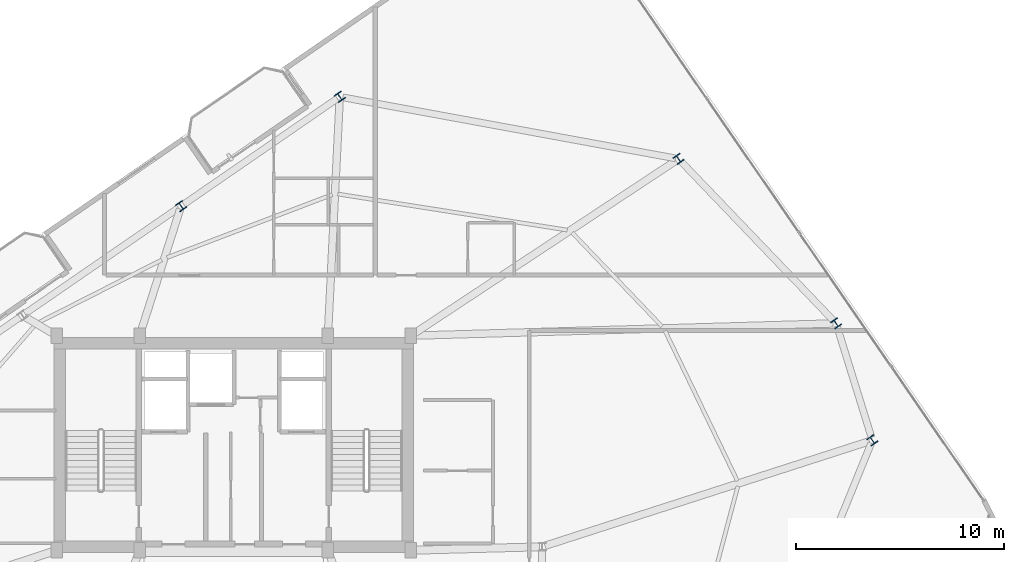
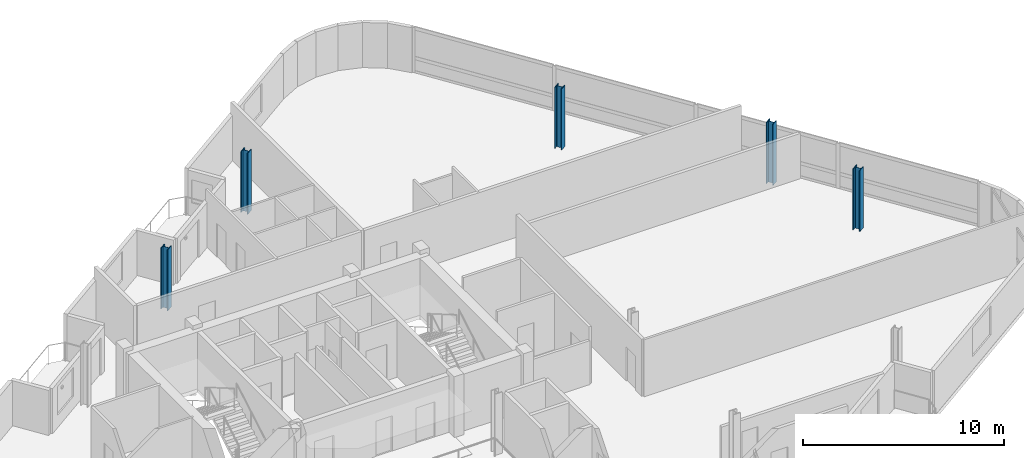
# One storey, part 2 of 23: 5 columns.
"""IFC4 building model written with IfcOpenShell, lengths in metres."""

from ifc_helpers import new_model, si_unit, direction, frame, origin, origin_2d, place, context, subcontext, project, spatial, i_section, extrude, material, material_profile, profile_set, type_object, element, save


model = new_model("IFC4")

# Units and contexts
model_context = context("Model", 3, precision=1e-05, world=origin(), true_north=direction((0.0, 1.0)))
body_context = subcontext(model_context, "Body", "Model", "MODEL_VIEW")
ifc_project = project(units=[si_unit("LENGTHUNIT", "METRE"), si_unit("AREAUNIT", "SQUARE_METRE"), si_unit("VOLUMEUNIT", "CUBIC_METRE"), si_unit("PLANEANGLEUNIT", "RADIAN"), si_unit("MASSUNIT", "GRAM", prefix="KILO")], contexts=[model_context])

# Site, building, storey
site_placement = place(None, origin())
site = spatial("IfcSite", under=ifc_project, at=site_placement, CompositionType="ELEMENT")
building_placement = place(site_placement, origin())
building = spatial("IfcBuilding", under=site, at=building_placement, Name="Varnelok Gate Tower", CompositionType="ELEMENT")
storey_placement = place(building_placement, frame((0.0, 0.0, 273.0)))
storey = spatial("IfcBuildingStorey", under=building, at=storey_placement, Name="L70", CompositionType="ELEMENT", Elevation=273.0)

# Columns
ifc_material = material(Name="Structural Steel ASTM A992 Grade 50", Category="steel")
ifc_material_profile = material_profile(ifc_material, i_section(OverallWidth=0.40087890625, OverallDepth=0.39892578125, WebThickness=0.02490234375, FlangeThickness=0.03955078125, FilletRadius=0.02197265625, at=origin_2d()), Name="W14X211")
ifc_profile_set = profile_set([ifc_material_profile], Name="Structural Steel ASTM A992 Grade 50")
column_type = type_object("IfcColumnType", Name="COL-W14X211", PredefinedType="COLUMN", material=ifc_profile_set)
for number, where, z_axis, x_axis, name in (
    (1, (69.856689453125, 34.031494140625, 0.0), (0.0, 0.0, 1.0), (0.823532597628, 0.567268949127, 0.0), "L70 B6 Perimeter Column PC06"),
    (2, (68.115478515625, 39.644287109375, 0.0), (0.0, 0.0, 1.0), (0.823532597628, 0.567268949127, 0.0), "L70 B6 Perimeter Column PC07"),
    (3, (60.5537109375, 47.537353515625, 0.0), (0.0, 0.0, 1.0), (0.823532597628, 0.567268949127, 0.0), "L70 B6 Perimeter Column PC08"),
    (4, (44.29248046875, 50.519287109375, 0.0), (0.0, 0.0, 1.0), (0.823532597628, 0.567268949127, 0.0), "L70 B6 Perimeter Column PC09"),
    (5, (36.6748046875, 45.27197265625, 0.0), (0.0, 0.0, 1.0), (0.823532597628, 0.567268949127, 0.0), "L70 B6 Perimeter Column PC10"),
):
    element("IfcColumn", number, at=place(storey_placement, frame(where, z_axis=z_axis, x_axis=x_axis)), inside=storey, type_object=column_type, Name=name, PredefinedType="COLUMN", context=body_context, shape_type="SweptSolid", body=[
        extrude(i_section(OverallWidth=0.40087890625, OverallDepth=0.39892578125, WebThickness=0.02490234375, FlangeThickness=0.03955078125, FilletRadius=0.02197265625, at=origin_2d()), origin(), (0.0, 0.0, 1.0), 3.699951171875),
    ])

save(model, "model.ifc")
